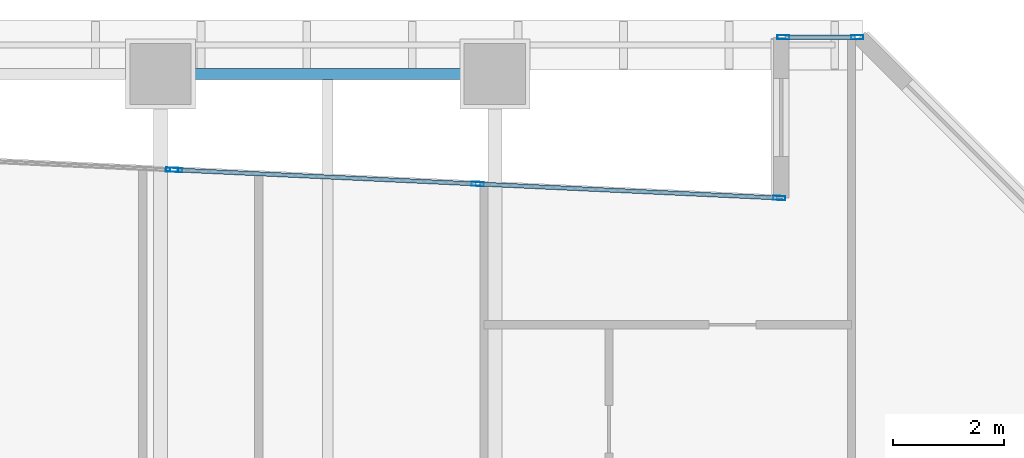
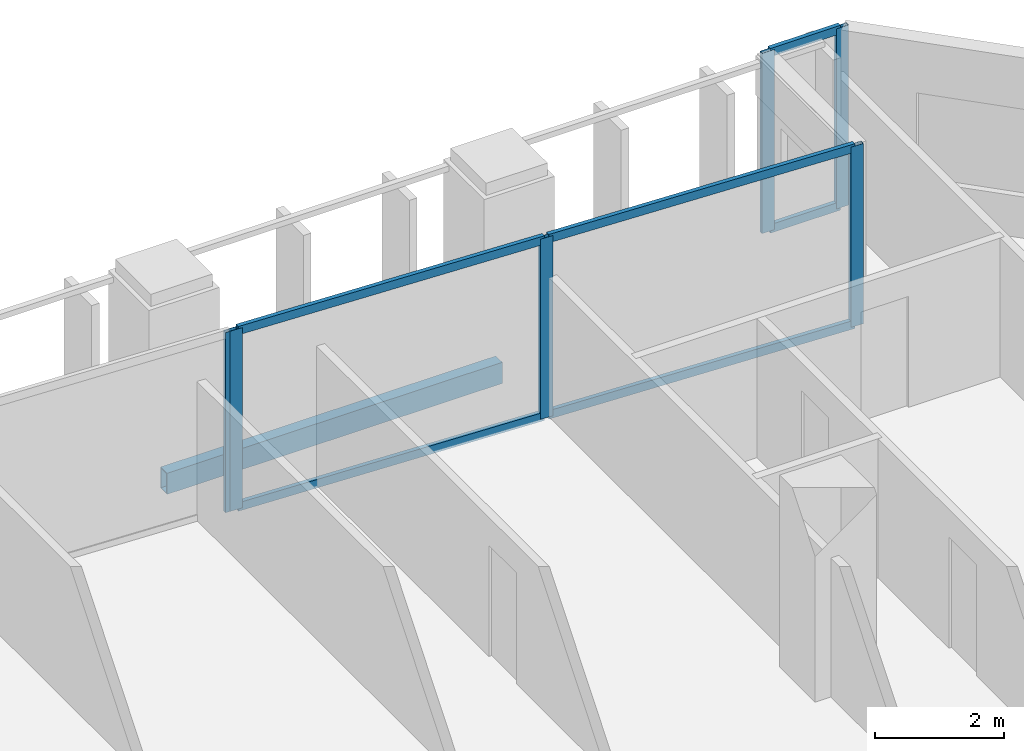
# One storey, part 18 of 32: 12 members, 1 beam, 3 elements without a shape of their own.
"""IFC4 building model written with IfcOpenShell, lengths in metres."""

from ifc_helpers import new_model, si_unit, direction, frame, origin, origin_2d, place, context, subcontext, project, spatial, hollow_rectangle, extrude, material, layer, layer_set, material_profile, profile_set, type_object, element, aggregate, save


model = new_model("IFC4")

# Units and contexts
model_context = context("Model", 3, precision=1e-05, world=origin(), true_north=direction((0.0, 1.0)))
body_context = subcontext(model_context, "Body", "Model", "MODEL_VIEW")
ifc_project = project(units=[si_unit("LENGTHUNIT", "METRE"), si_unit("AREAUNIT", "SQUARE_METRE"), si_unit("VOLUMEUNIT", "CUBIC_METRE"), si_unit("PLANEANGLEUNIT", "RADIAN"), si_unit("MASSUNIT", "GRAM", prefix="KILO")], contexts=[model_context])

# Site, building, storey
site_placement = place(None, origin())
site = spatial("IfcSite", under=ifc_project, at=site_placement, CompositionType="ELEMENT")
building_placement = place(site_placement, origin())
building = spatial("IfcBuilding", under=site, at=building_placement, Name="Tanjung Sevakor Pilgrim Tower", CompositionType="ELEMENT")
storey_placement = place(building_placement, frame((0.0, 0.0, 62.3701171875)))
storey = spatial("IfcBuildingStorey", under=building, at=storey_placement, Name="L17", CompositionType="ELEMENT", Elevation=62.3701171875)

# Beam
ifc_material_1 = material(Name="Steel S355J2", Category="steel")
ifc_material_profile_1 = material_profile(ifc_material_1, hollow_rectangle(XDim=0.199951171875, YDim=0.39990234375, WallThickness=0.01611328125, at=origin_2d()))
ifc_profile_set_1 = profile_set([ifc_material_profile_1], Name="Steel S355J2")
beam_type = type_object("IfcBeamType", Name="BM-B-SP2-RHS_400x200x16", PredefinedType="SPANDREL", material=ifc_profile_set_1)
beam_placement = place(storey_placement, frame((84.0, 58.800048828125, -0.420166015625), z_axis=(1.0, 0.0, 0.0), x_axis=(0.0, 1.0, 0.0)))
element("IfcBeam", 1, at=beam_placement, inside=storey, type_object=beam_type, Name="L17 Spandrel MAIN N-18", PredefinedType="SPANDREL", context=body_context, shape_type="SweptSolid", body=[
    extrude(hollow_rectangle(XDim=0.199951171875, YDim=0.39990234375, WallThickness=0.01611328125, at=origin_2d()), origin(), (0.0, 0.0, 1.0), 6.0),
])

# Curtain wall, members
ifc_material_2 = material(Name="Aluminium 6063-T6 and Low-E Glass", Category="aluminium")
ifc_layer = layer(ifc_material_2, 0.199951171875)
ifc_layer_set = layer_set([ifc_layer], Name="CW-SYS-PRAY")
curtain_wall_type = type_object("IfcCurtainWallType", Name="CW-SYS-PRAY", PredefinedType="NOTDEFINED", material=ifc_layer_set)
curtain_wall_1_placement = place(storey_placement, origin())
curtain_wall_1 = element("IfcCurtainWall", 2, at=curtain_wall_1_placement, inside=storey, type_object=curtain_wall_type, Name="L17 Curtain Wall CW-PRY-L17-18", PredefinedType="NOTDEFINED")
ifc_material_3 = material(Name="Aluminium 6063-T6", Category="aluminium")
ifc_material_profile_2 = material_profile(ifc_material_3, hollow_rectangle(XDim=0.074951171875, YDim=0.219970703125, WallThickness=0.0048828125, at=origin_2d()))
ifc_profile_set_2 = profile_set([ifc_material_profile_2], Name="Aluminium 6063-T6")
member_type_1 = type_object("IfcMemberType", Name="TYPE-CWM-2", PredefinedType="MULLION", material=ifc_profile_set_2)
member_1_placement = place(storey_placement, frame((96.50439453125, 59.4599609375, 0.0), z_axis=(0.0, 0.0, 1.0), x_axis=(0.0, -1.0, 0.0)))
member_1 = element("IfcMember", 3, at=member_1_placement, type_object=member_type_1, Name="CW-PRY mullion 1", PredefinedType="MULLION", context=body_context, shape_type="SweptSolid", body=[
    extrude(hollow_rectangle(XDim=0.074951171875, YDim=0.219970703125, WallThickness=0.0048828125, at=origin_2d()), origin(), (0.0, 0.0, 1.0), 3.409912109375),
])
member_2_placement = place(storey_placement, frame((95.177490234375, 59.4599609375, 0.0), z_axis=(0.0, 0.0, 1.0), x_axis=(0.0, -1.0, 0.0)))
member_2 = element("IfcMember", 4, at=member_2_placement, type_object=member_type_1, Name="CW-PRY mullion 2", PredefinedType="MULLION", context=body_context, shape_type="SweptSolid", body=[
    extrude(hollow_rectangle(XDim=0.074951171875, YDim=0.219970703125, WallThickness=0.0048828125, at=origin_2d()), origin(), (0.0, 0.0, 1.0), 3.409912109375),
])

curtain_wall_2_placement = place(storey_placement, origin())
curtain_wall_2 = element("IfcCurtainWall", 5, at=curtain_wall_2_placement, inside=storey, type_object=curtain_wall_type, Name="L17 Curtain Wall CW-PRY-L17-20", PredefinedType="NOTDEFINED")
member_3_placement = place(storey_placement, frame((95.1025390625, 56.574951171875, 0.0), z_axis=(0.0, 0.0, 1.0), x_axis=(-0.046469270496, -0.998919719947, 0.0)))
member_3 = element("IfcMember", 6, at=member_3_placement, type_object=member_type_1, Name="CW-PRY mullion 1", PredefinedType="MULLION", context=body_context, shape_type="SweptSolid", body=[
    extrude(hollow_rectangle(XDim=0.074951171875, YDim=0.219970703125, WallThickness=0.0048828125, at=origin_2d()), origin(), (0.0, 0.0, 1.0), 3.409912109375),
])
member_4_placement = place(storey_placement, frame((89.691650390625, 56.82666015625, 0.0), z_axis=(0.0, 0.0, 1.0), x_axis=(-0.046469270496, -0.998919719947, 0.0)))
member_4 = element("IfcMember", 7, at=member_4_placement, type_object=member_type_1, Name="CW-PRY mullion 2", PredefinedType="MULLION", context=body_context, shape_type="SweptSolid", body=[
    extrude(hollow_rectangle(XDim=0.074951171875, YDim=0.219970703125, WallThickness=0.0048828125, at=origin_2d()), origin(), (0.0, 0.0, 1.0), 3.409912109375),
])
member_5_placement = place(storey_placement, frame((84.281005859375, 57.078369140625, 0.0), z_axis=(0.0, 0.0, 1.0), x_axis=(-0.046469270496, -0.998919719947, 0.0)))
member_5 = element("IfcMember", 8, at=member_5_placement, type_object=member_type_1, Name="CW-PRY mullion 3", PredefinedType="MULLION", context=body_context, shape_type="SweptSolid", body=[
    extrude(hollow_rectangle(XDim=0.074951171875, YDim=0.219970703125, WallThickness=0.0048828125, at=origin_2d()), origin(), (0.0, 0.0, 1.0), 3.409912109375),
])

# Curtain wall, member
curtain_wall_3_placement = place(storey_placement, origin())
curtain_wall_3 = element("IfcCurtainWall", 9, at=curtain_wall_3_placement, inside=storey, type_object=curtain_wall_type, Name="L17 Curtain Wall CW-PRY-L17-21", PredefinedType="NOTDEFINED")
member_6_placement = place(storey_placement, frame((84.2060546875, 57.08203125, 0.0), z_axis=(0.0, 0.0, 1.0), x_axis=(-0.046452337274, -0.998920507529, 0.0)))
member_6 = element("IfcMember", 10, at=member_6_placement, type_object=member_type_1, Name="CW-PRY mullion 1", PredefinedType="MULLION", context=body_context, shape_type="SweptSolid", body=[
    extrude(hollow_rectangle(XDim=0.074951171875, YDim=0.219970703125, WallThickness=0.0048828125, at=origin_2d()), origin(), (0.0, 0.0, 1.0), 3.409912109375),
])
aggregate(curtain_wall_3, [member_6])

# Member
ifc_material_4 = material(Name="Aluminium 6063-T6", Category="aluminium")
ifc_material_profile_3 = material_profile(ifc_material_4, hollow_rectangle(XDim=0.074951171875, YDim=0.159912109375, WallThickness=0.00439453125, at=origin_2d()))
ifc_profile_set_3 = profile_set([ifc_material_profile_3], Name="Aluminium 6063-T6")
member_type_2 = type_object("IfcMemberType", Name="TYPE-CWT-2", PredefinedType="USERDEFINED", material=ifc_profile_set_3)
member_7_placement = place(storey_placement, frame((96.467041015625, 59.4599609375, 0.037353515625), z_axis=(-1.0, 0.0, 0.0), x_axis=(0.0, -1.0, 0.0)))
member_7 = element("IfcMember", 11, at=member_7_placement, type_object=member_type_2, Name="CW-PRY transom 1.1", ObjectType="TRANSOM", PredefinedType="USERDEFINED", context=body_context, shape_type="SweptSolid", body=[
    extrude(hollow_rectangle(XDim=0.074951171875, YDim=0.159912109375, WallThickness=0.00439453125, at=origin_2d()), origin(), (0.0, 0.0, 1.0), 1.251953125),
])

member_8_placement = place(storey_placement, frame((96.467041015625, 59.4599609375, 3.372314453125), z_axis=(-1.0, 0.0, 0.0), x_axis=(0.0, -1.0, 0.0)))
member_8 = element("IfcMember", 12, at=member_8_placement, type_object=member_type_2, Name="CW-PRY transom 1.2", ObjectType="TRANSOM", PredefinedType="USERDEFINED", context=body_context, shape_type="SweptSolid", body=[
    extrude(hollow_rectangle(XDim=0.074951171875, YDim=0.159912109375, WallThickness=0.00439453125, at=origin_2d()), origin(), (0.0, 0.0, 1.0), 1.251953125),
])

aggregate(curtain_wall_1, [member_1, member_2, member_7, member_8])

member_9_placement = place(storey_placement, frame((95.065185546875, 56.576904296875, 0.037353515625), z_axis=(-0.998921269685, 0.046435944821, 0.0), x_axis=(-0.046435944821, -0.998921269685, 0.0)))
member_9 = element("IfcMember", 13, at=member_9_placement, type_object=member_type_2, Name="CW-PRY transom 1.1", ObjectType="TRANSOM", PredefinedType="USERDEFINED", context=body_context, shape_type="SweptSolid", body=[
    extrude(hollow_rectangle(XDim=0.074951171875, YDim=0.159912109375, WallThickness=0.00439453125, at=origin_2d()), origin(), (0.0, 0.0, 1.0), 5.341796875),
])

member_10_placement = place(storey_placement, frame((95.065185546875, 56.576904296875, 3.372314453125), z_axis=(-0.998921269685, 0.046435944821, 0.0), x_axis=(-0.046435944821, -0.998921269685, 0.0)))
member_10 = element("IfcMember", 14, at=member_10_placement, type_object=member_type_2, Name="CW-PRY transom 1.2", ObjectType="TRANSOM", PredefinedType="USERDEFINED", context=body_context, shape_type="SweptSolid", body=[
    extrude(hollow_rectangle(XDim=0.074951171875, YDim=0.159912109375, WallThickness=0.00439453125, at=origin_2d()), origin(), (0.0, 0.0, 1.0), 5.341796875),
])

member_11_placement = place(storey_placement, frame((89.654296875, 56.82861328125, 0.037353515625), z_axis=(-0.998921269685, 0.046435944821, 0.0), x_axis=(-0.046435944821, -0.998921269685, 0.0)))
member_11 = element("IfcMember", 15, at=member_11_placement, type_object=member_type_2, Name="CW-PRY transom 2.1", ObjectType="TRANSOM", PredefinedType="USERDEFINED", context=body_context, shape_type="SweptSolid", body=[
    extrude(hollow_rectangle(XDim=0.074951171875, YDim=0.159912109375, WallThickness=0.00439453125, at=origin_2d()), origin(), (0.0, 0.0, 1.0), 5.341796875),
])

member_12_placement = place(storey_placement, frame((89.654296875, 56.82861328125, 3.372314453125), z_axis=(-0.998921269685, 0.046435944821, 0.0), x_axis=(-0.046435944821, -0.998921269685, 0.0)))
member_12 = element("IfcMember", 16, at=member_12_placement, type_object=member_type_2, Name="CW-PRY transom 2.2", ObjectType="TRANSOM", PredefinedType="USERDEFINED", context=body_context, shape_type="SweptSolid", body=[
    extrude(hollow_rectangle(XDim=0.074951171875, YDim=0.159912109375, WallThickness=0.00439453125, at=origin_2d()), origin(), (0.0, 0.0, 1.0), 5.341796875),
])

aggregate(curtain_wall_2, [member_3, member_4, member_5, member_9, member_10, member_11, member_12])

save(model, "model.ifc")
